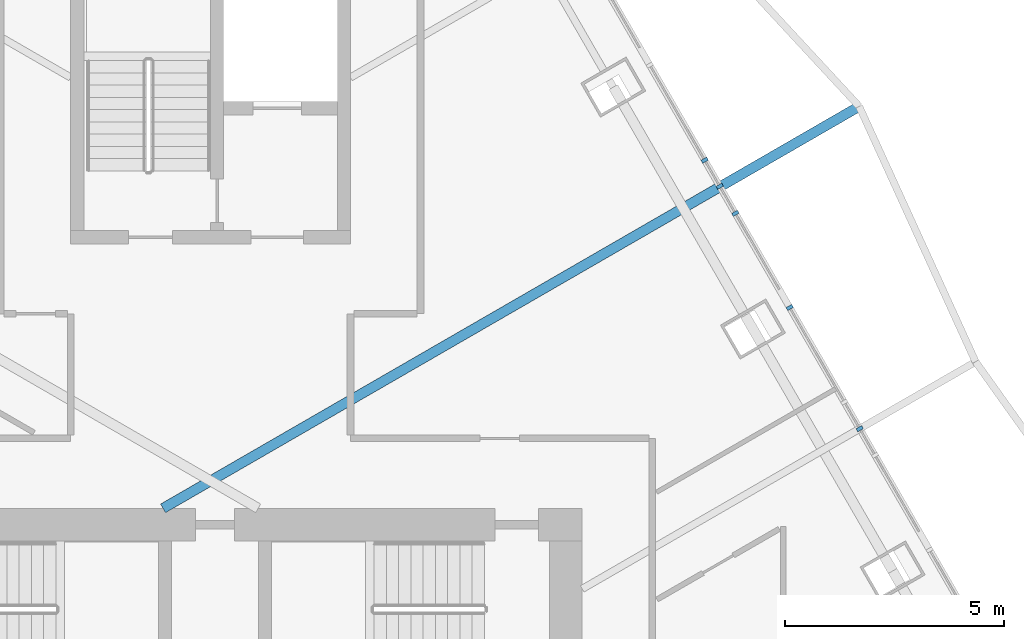
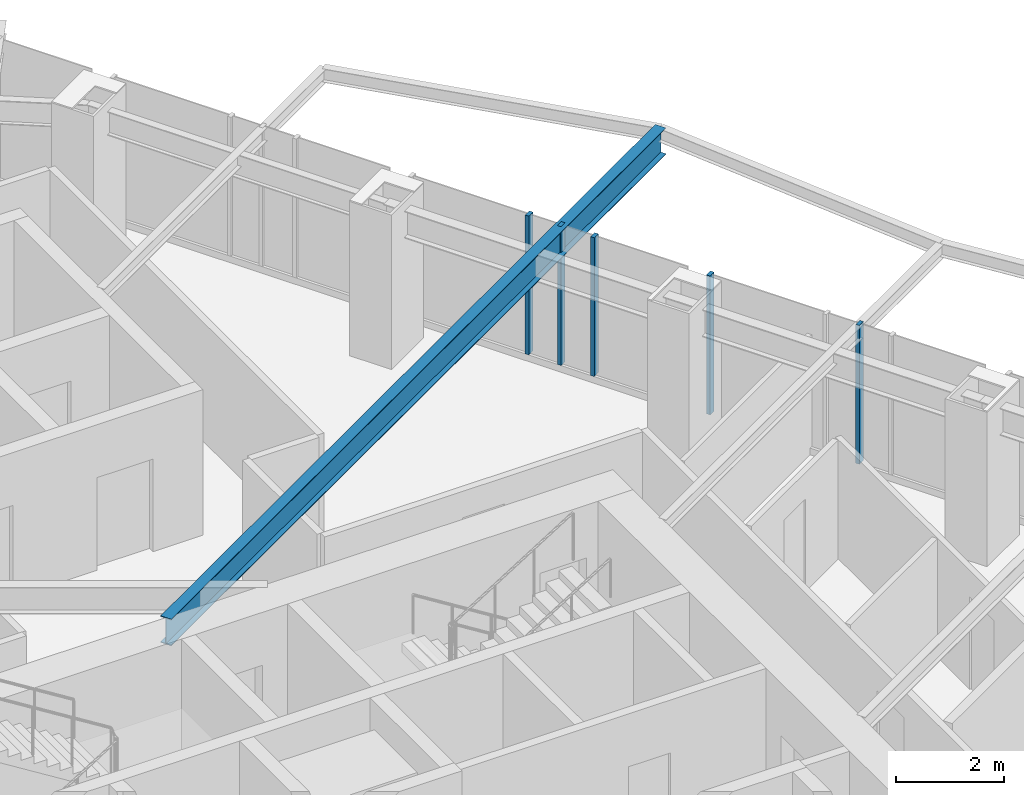
# One storey, part 9 of 26: 5 members, 1 beam, 1 element without a shape of its own.
"""IFC4 building model written with IfcOpenShell, lengths in metres."""

from ifc_helpers import new_model, si_unit, direction, frame, origin, origin_2d, place, context, subcontext, project, spatial, rectangle, i_section, extrude, material, layer, layer_set, material_profile, profile_set, type_object, element, aggregate, save


model = new_model("IFC4")

# Units and contexts
model_context = context("Model", 3, precision=1e-05, world=origin(), true_north=direction((0.0, 1.0)))
body_context = subcontext(model_context, "Body", "Model", "MODEL_VIEW")
ifc_project = project(units=[si_unit("LENGTHUNIT", "METRE"), si_unit("AREAUNIT", "SQUARE_METRE"), si_unit("VOLUMEUNIT", "CUBIC_METRE"), si_unit("PLANEANGLEUNIT", "RADIAN"), si_unit("MASSUNIT", "GRAM", prefix="KILO")], contexts=[model_context])

# Site, building, storey
site_placement = place(None, origin())
site = spatial("IfcSite", under=ifc_project, at=site_placement, CompositionType="ELEMENT")
building_placement = place(site_placement, origin())
building = spatial("IfcBuilding", under=site, at=building_placement, Name="Firuza Gate Tower and Library", CompositionType="ELEMENT")
storey_placement = place(building_placement, frame((0.0, 0.0, 288.10009765625)))
storey = spatial("IfcBuildingStorey", under=building, at=storey_placement, Name="L69", CompositionType="ELEMENT", Elevation=288.10009765625)

# Curtain wall, members
ifc_material_1 = material(Name="Aluminium 6063-T6", Category="aluminium")
ifc_layer = layer(ifc_material_1, 0.14990234375)
ifc_layer_set = layer_set([ifc_layer], Name="Unitised curtain wall, residences")
curtain_wall_type = type_object("IfcCurtainWallType", Name="Unitised curtain wall, residences", PredefinedType="NOTDEFINED", material=ifc_layer_set)
curtain_wall_placement = place(storey_placement, origin())
curtain_wall = element("IfcCurtainWall", 1, at=curtain_wall_placement, inside=storey, type_object=curtain_wall_type, Name="CW3 L69 E face", PredefinedType="NOTDEFINED")
ifc_material_2 = material(Name="Aluminium 6063-T6", Category="aluminium")
ifc_material_profile_1 = material_profile(ifc_material_2, rectangle(XDim=0.14990234375, YDim=0.080078125, at=origin_2d()))
ifc_profile_set_1 = profile_set([ifc_material_profile_1], Name="Aluminium 6063-T6")
member_type = type_object("IfcMemberType", Name="Curtain wall mullion 80x150", PredefinedType="MULLION", material=ifc_profile_set_1)
member_1_placement = place(storey_placement, frame((89.84619140625, 83.571533203125, 0.14990234375), z_axis=(0.0, 0.0, 1.0), x_axis=(-0.866025403784, -0.5, 0.0)))
member_1 = element("IfcMember", 2, at=member_1_placement, type_object=member_type, Name="Mullion", PredefinedType="MULLION", context=body_context, shape_type="SweptSolid", body=[
    extrude(rectangle(XDim=0.14990234375, YDim=0.080078125, at=origin_2d()), origin(), (0.0, 0.0, 1.0), 3.14990234375),
])
member_2_placement = place(storey_placement, frame((88.245849609375, 86.343505859375, 0.14990234375), z_axis=(0.0, 0.0, 1.0), x_axis=(-0.866025403784, -0.5, 0.0)))
member_2 = element("IfcMember", 3, at=member_2_placement, type_object=member_type, Name="Mullion", PredefinedType="MULLION", context=body_context, shape_type="SweptSolid", body=[
    extrude(rectangle(XDim=0.14990234375, YDim=0.080078125, at=origin_2d()), origin(), (0.0, 0.0, 1.0), 3.14990234375),
])
member_3_placement = place(storey_placement, frame((86.6455078125, 89.115478515625, 0.14990234375), z_axis=(0.0, 0.0, 1.0), x_axis=(-0.866025403784, -0.5, 0.0)))
member_3 = element("IfcMember", 4, at=member_3_placement, type_object=member_type, Name="Mullion", PredefinedType="MULLION", context=body_context, shape_type="SweptSolid", body=[
    extrude(rectangle(XDim=0.14990234375, YDim=0.080078125, at=origin_2d()), origin(), (0.0, 0.0, 1.0), 3.14990234375),
])
member_4_placement = place(storey_placement, frame((87.00244140625, 88.497314453125, 0.14990234375), z_axis=(0.0, 0.0, 1.0), x_axis=(-0.866025403784, -0.5, 0.0)))
member_4 = element("IfcMember", 5, at=member_4_placement, type_object=member_type, Name="Mullion", PredefinedType="MULLION", context=body_context, shape_type="SweptSolid", body=[
    extrude(rectangle(XDim=0.14990234375, YDim=0.080078125, at=origin_2d()), origin(), (0.0, 0.0, 1.0), 3.14990234375),
])
member_5_placement = place(storey_placement, frame((86.30078125, 89.71240234375, 0.14990234375), z_axis=(0.0, 0.0, 1.0), x_axis=(-0.866025403784, -0.5, 0.0)))
member_5 = element("IfcMember", 6, at=member_5_placement, type_object=member_type, Name="Mullion", PredefinedType="MULLION", context=body_context, shape_type="SweptSolid", body=[
    extrude(rectangle(XDim=0.14990234375, YDim=0.080078125, at=origin_2d()), origin(), (0.0, 0.0, 1.0), 3.14990234375),
])
aggregate(curtain_wall, [member_1, member_2, member_3, member_4, member_5])

# Beam
ifc_material_3 = material(Name="Steel S355", Category="steel")
ifc_material_profile_2 = material_profile(ifc_material_3, i_section(OverallWidth=0.22802734375, OverallDepth=0.60302734375, WebThickness=0.010498046875, FlangeThickness=0.014892578125, at=origin_2d()))
ifc_profile_set_2 = profile_set([ifc_material_profile_2], Name="Steel S355")
beam_type = type_object("IfcBeamType", Name="W610x101 Floor beam", PredefinedType="JOIST", material=ifc_profile_set_2)
beam_placement = place(storey_placement, frame((89.834228515625, 90.9423828125, 2.998291015625), z_axis=(-0.866024816143, -0.500001017824, 0.0), x_axis=(0.500001017824, -0.866024816143, 0.0)))
element("IfcBeam", 7, at=beam_placement, inside=storey, type_object=beam_type, Name="Floor beam L69 s53", PredefinedType="JOIST", context=body_context, shape_type="SweptSolid", body=[
    extrude(i_section(OverallWidth=0.22802734375, OverallDepth=0.60302734375, WebThickness=0.010498046875, FlangeThickness=0.014892578125, at=origin_2d()), origin(), (0.0, 0.0, 1.0), 18.384765625),
])

save(model, "model.ifc")
